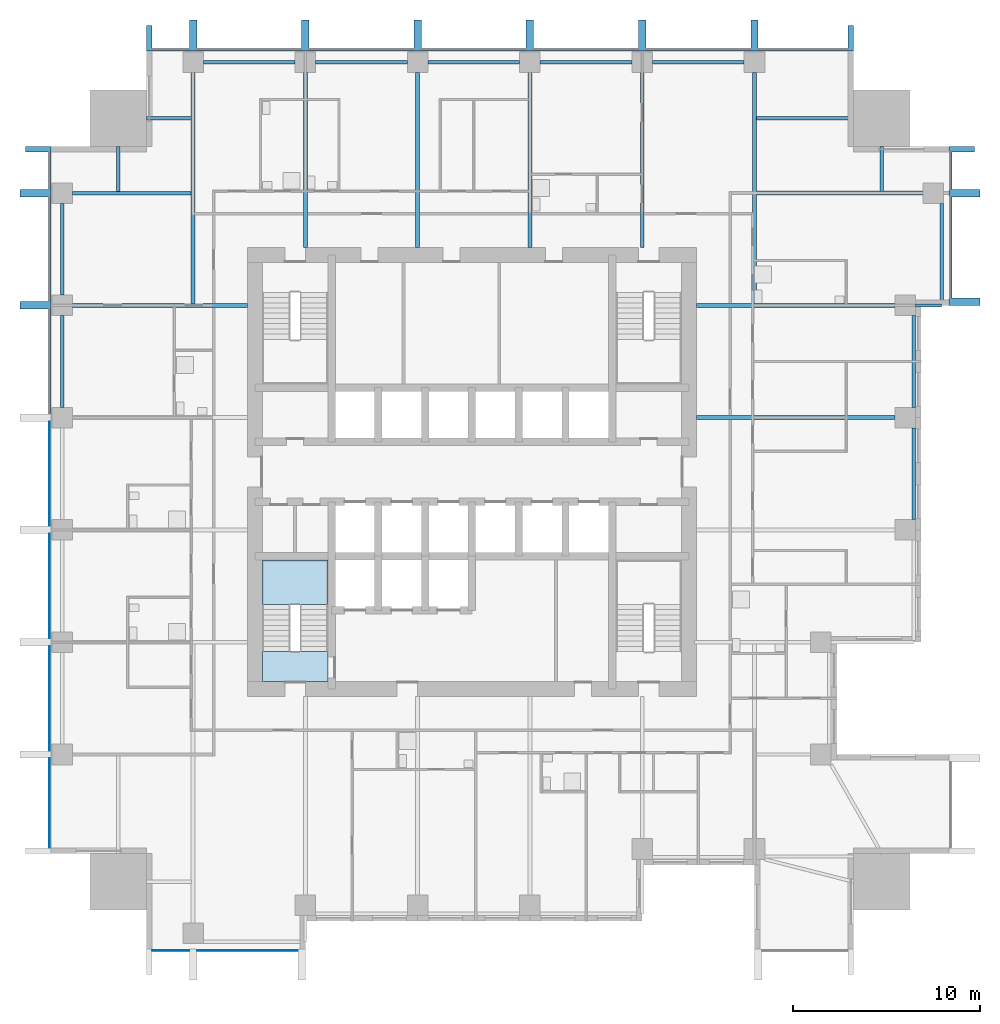
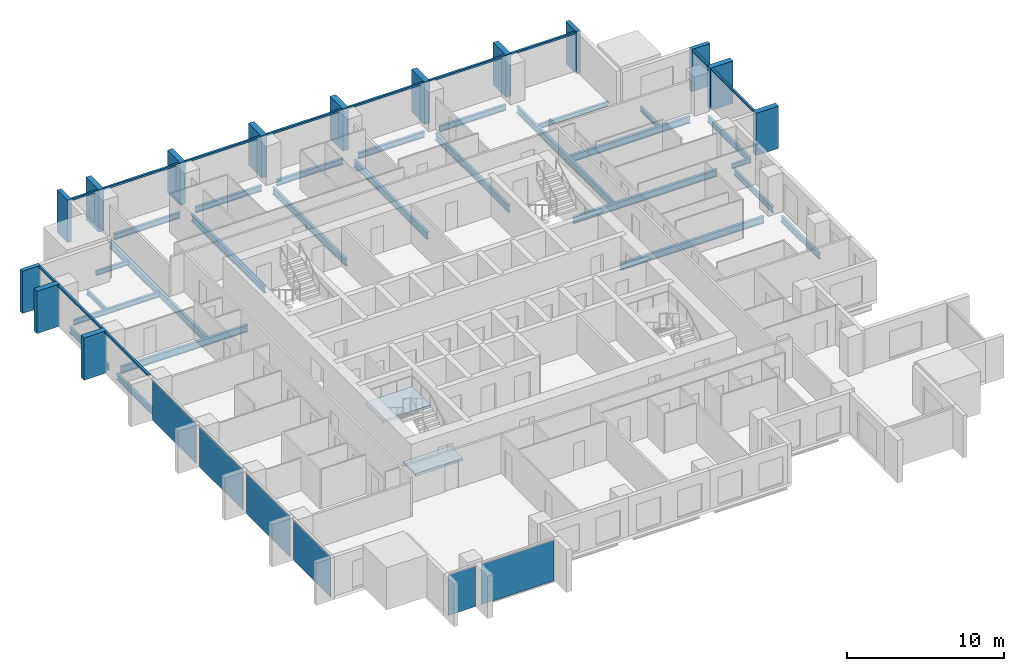
# One storey, part 2 of 10: 26 beams, 26 members, 6 plates, 2 slabs, 5 elements without a shape of their own.
"""IFC4 building model written with IfcOpenShell, lengths in metres."""

from ifc_helpers import new_model, si_unit, direction, frame, origin, origin_2d, place, context, subcontext, project, spatial, polyline, rectangle, i_section, outline, extrude, material, layer, layer_set, material_profile, profile_set, type_object, element, aggregate, save


model = new_model("IFC4")

# Units and contexts
model_context = context("Model", 3, precision=1e-05, world=origin(), true_north=direction((0.0, 1.0)))
body_context = subcontext(model_context, "Body", "Model", "MODEL_VIEW")
ifc_project = project(units=[si_unit("LENGTHUNIT", "METRE"), si_unit("AREAUNIT", "SQUARE_METRE"), si_unit("VOLUMEUNIT", "CUBIC_METRE"), si_unit("PLANEANGLEUNIT", "RADIAN"), si_unit("MASSUNIT", "GRAM", prefix="KILO")], contexts=[model_context])

# Site, building, storey
site_placement = place(None, origin())
site = spatial("IfcSite", under=ifc_project, at=site_placement, CompositionType="ELEMENT")
building_placement = place(site_placement, origin())
building = spatial("IfcBuilding", under=site, at=building_placement, Name="Amberfall Residences", CompositionType="ELEMENT")
storey_placement = place(building_placement, frame((0.0, 0.0, 82.0)))
storey = spatial("IfcBuildingStorey", under=building, at=storey_placement, Name="L21", CompositionType="ELEMENT", Elevation=82.0)

# Curtain wall, members
ifc_material_1 = material(Name="Bronze anodised aluminium and glass", Category="aluminium")
curtain_wall_type = type_object("IfcCurtainWallType", Name="Curtain wall CW1 tower unit", PredefinedType="USERDEFINED", material=ifc_material_1)
curtain_wall_1_placement = place(storey_placement, origin())
curtain_wall_1 = element("IfcCurtainWall", 1, at=curtain_wall_1_placement, inside=storey, type_object=curtain_wall_type, Name="Curtain wall L21 E E9", ObjectType="UNITISED CURTAIN WALL", PredefinedType="USERDEFINED")
ifc_material_2 = material(Name="Bronze anodised aluminium", Category="aluminium")
ifc_material_profile_1 = material_profile(ifc_material_2, rectangle(XDim=0.14990234375, YDim=0.14990234375, at=origin_2d()), Name="CW1 transom 150 x 150 bronze")
ifc_profile_set_1 = profile_set([ifc_material_profile_1], Name="Bronze anodised aluminium")
member_type_1 = type_object("IfcMemberType", Name="CW1 transom 150 x 150 bronze", PredefinedType="USERDEFINED", material=ifc_profile_set_1)
member_1_placement = place(storey_placement, frame((100.074951171875, 54.800048828125, 2.97509765625), z_axis=(0.0, 1.0, 0.0), x_axis=(-1.0, 0.0, 0.0)))
member_1 = element("IfcMember", 2, at=member_1_placement, type_object=member_type_1, Name="CW1 transom 1.1", ObjectType="TRANSOM", PredefinedType="USERDEFINED", context=body_context, shape_type="SweptSolid", body=[
    extrude(rectangle(XDim=0.14990234375, YDim=0.14990234375, at=origin_2d()), origin(), (0.0, 0.0, 1.0), 5.39990234375),
])
member_2_placement = place(storey_placement, frame((100.074951171875, 60.60009765625, 2.97509765625), z_axis=(0.0, 1.0, 0.0), x_axis=(-1.0, 0.0, 0.0)))
member_2 = element("IfcMember", 3, at=member_2_placement, type_object=member_type_1, Name="CW1 transom 2.1", ObjectType="TRANSOM", PredefinedType="USERDEFINED", context=body_context, shape_type="SweptSolid", body=[
    extrude(rectangle(XDim=0.14990234375, YDim=0.14990234375, at=origin_2d()), origin(), (0.0, 0.0, 1.0), 2.0),
])

curtain_wall_2_placement = place(storey_placement, origin())
curtain_wall_2 = element("IfcCurtainWall", 4, at=curtain_wall_2_placement, inside=storey, type_object=curtain_wall_type, Name="Curtain wall L21 N N1", ObjectType="UNITISED CURTAIN WALL", PredefinedType="USERDEFINED")
member_3_placement = place(storey_placement, frame((94.60009765625, 68.074951171875, 2.97509765625), z_axis=(-1.0, 0.0, 0.0), x_axis=(0.0, -1.0, 0.0)))
member_3 = element("IfcMember", 5, at=member_3_placement, type_object=member_type_1, Name="CW1 transom 1.1", ObjectType="TRANSOM", PredefinedType="USERDEFINED", context=body_context, shape_type="SweptSolid", body=[
    extrude(rectangle(XDim=0.14990234375, YDim=0.14990234375, at=origin_2d()), origin(), (0.0, 0.0, 1.0), 4.800048828125),
])
member_4_placement = place(storey_placement, frame((89.39990234375, 68.074951171875, 2.97509765625), z_axis=(-1.0, 0.0, 0.0), x_axis=(0.0, -1.0, 0.0)))
member_4 = element("IfcMember", 6, at=member_4_placement, type_object=member_type_1, Name="CW1 transom 2.1", ObjectType="TRANSOM", PredefinedType="USERDEFINED", context=body_context, shape_type="SweptSolid", body=[
    extrude(rectangle(XDim=0.14990234375, YDim=0.14990234375, at=origin_2d()), origin(), (0.0, 0.0, 1.0), 5.599853515625),
])
member_5_placement = place(storey_placement, frame((83.39990234375, 68.074951171875, 2.97509765625), z_axis=(-1.0, 0.0, 0.0), x_axis=(0.0, -1.0, 0.0)))
member_5 = element("IfcMember", 7, at=member_5_placement, type_object=member_type_1, Name="CW1 transom 3.1", ObjectType="TRANSOM", PredefinedType="USERDEFINED", context=body_context, shape_type="SweptSolid", body=[
    extrude(rectangle(XDim=0.14990234375, YDim=0.14990234375, at=origin_2d()), origin(), (0.0, 0.0, 1.0), 5.599853515625),
])
member_6_placement = place(storey_placement, frame((77.39990234375, 68.074951171875, 2.97509765625), z_axis=(-1.0, 0.0, 0.0), x_axis=(0.0, -1.0, 0.0)))
member_6 = element("IfcMember", 8, at=member_6_placement, type_object=member_type_1, Name="CW1 transom 4.1", ObjectType="TRANSOM", PredefinedType="USERDEFINED", context=body_context, shape_type="SweptSolid", body=[
    extrude(rectangle(XDim=0.14990234375, YDim=0.14990234375, at=origin_2d()), origin(), (0.0, 0.0, 1.0), 5.599853515625),
])
member_7_placement = place(storey_placement, frame((71.39990234375, 68.074951171875, 2.97509765625), z_axis=(-1.0, 0.0, 0.0), x_axis=(0.0, -1.0, 0.0)))
member_7 = element("IfcMember", 9, at=member_7_placement, type_object=member_type_1, Name="CW1 transom 5.1", ObjectType="TRANSOM", PredefinedType="USERDEFINED", context=body_context, shape_type="SweptSolid", body=[
    extrude(rectangle(XDim=0.14990234375, YDim=0.14990234375, at=origin_2d()), origin(), (0.0, 0.0, 1.0), 5.599853515625),
])
member_8_placement = place(storey_placement, frame((65.39990234375, 68.074951171875, 2.97509765625), z_axis=(-1.0, 0.0, 0.0), x_axis=(0.0, -1.0, 0.0)))
member_8 = element("IfcMember", 10, at=member_8_placement, type_object=member_type_1, Name="CW1 transom 6.1", ObjectType="TRANSOM", PredefinedType="USERDEFINED", context=body_context, shape_type="SweptSolid", body=[
    extrude(rectangle(XDim=0.14990234375, YDim=0.14990234375, at=origin_2d()), origin(), (0.0, 0.0, 1.0), 5.599853515625),
])
member_9_placement = place(storey_placement, frame((59.39990234375, 68.074951171875, 2.97509765625), z_axis=(-1.0, 0.0, 0.0), x_axis=(0.0, -1.0, 0.0)))
member_9 = element("IfcMember", 11, at=member_9_placement, type_object=member_type_1, Name="CW1 transom 7.1", ObjectType="TRANSOM", PredefinedType="USERDEFINED", context=body_context, shape_type="SweptSolid", body=[
    extrude(rectangle(XDim=0.14990234375, YDim=0.14990234375, at=origin_2d()), origin(), (0.0, 0.0, 1.0), 2.0),
])

curtain_wall_3_placement = place(storey_placement, origin())
curtain_wall_3 = element("IfcCurtainWall", 12, at=curtain_wall_3_placement, inside=storey, type_object=curtain_wall_type, Name="Curtain wall L21 W W1", ObjectType="UNITISED CURTAIN WALL", PredefinedType="USERDEFINED")
member_10_placement = place(storey_placement, frame((51.925048828125, 62.60009765625, 2.97509765625), z_axis=(0.0, -1.0, 0.0), x_axis=(1.0, 0.0, 0.0)))
member_10 = element("IfcMember", 13, at=member_10_placement, type_object=member_type_1, Name="CW1 transom 1.1", ObjectType="TRANSOM", PredefinedType="USERDEFINED", context=body_context, shape_type="SweptSolid", body=[
    extrude(rectangle(XDim=0.14990234375, YDim=0.14990234375, at=origin_2d()), origin(), (0.0, 0.0, 1.0), 2.0),
])
member_11_placement = place(storey_placement, frame((51.925048828125, 60.199951171875, 2.97509765625), z_axis=(0.0, -1.0, 0.0), x_axis=(1.0, 0.0, 0.0)))
member_11 = element("IfcMember", 14, at=member_11_placement, type_object=member_type_1, Name="CW1 transom 2.1", ObjectType="TRANSOM", PredefinedType="USERDEFINED", context=body_context, shape_type="SweptSolid", body=[
    extrude(rectangle(XDim=0.14990234375, YDim=0.14990234375, at=origin_2d()), origin(), (0.0, 0.0, 1.0), 5.599853515625),
])
member_12_placement = place(storey_placement, frame((51.925048828125, 54.199951171875, 2.97509765625), z_axis=(0.0, -1.0, 0.0), x_axis=(1.0, 0.0, 0.0)))
member_12 = element("IfcMember", 15, at=member_12_placement, type_object=member_type_1, Name="CW1 transom 3.1", ObjectType="TRANSOM", PredefinedType="USERDEFINED", context=body_context, shape_type="SweptSolid", body=[
    extrude(rectangle(XDim=0.14990234375, YDim=0.14990234375, at=origin_2d()), origin(), (0.0, 0.0, 1.0), 5.599853515625),
])

# Beam
ifc_material_3 = material(Name="Steel S355", Category="steel")
ifc_material_profile_2 = material_profile(ifc_material_3, i_section(OverallWidth=0.171142578125, OverallDepth=0.351318359375, WebThickness=0.007080078125, FlangeThickness=0.009765625, FilletRadius=0.01025390625, at=origin_2d()), Name="UB 356x171x45")
ifc_profile_set_2 = profile_set([ifc_material_profile_2], Name="Steel S355")
beam_type_1 = type_object("IfcBeamType", Name="Cantilever girder UB 356x171x45", PredefinedType="BEAM", material=ifc_profile_set_2)
beam_1_placement = place(storey_placement, frame((98.199951171875, 54.39990234375, -0.42578125), z_axis=(1.0, 0.0, 0.0), x_axis=(0.0, 1.0, 0.0)))
element("IfcBeam", 16, at=beam_1_placement, inside=storey, type_object=beam_type_1, Name="Cantilever girder B8 L21 20", PredefinedType="BEAM", context=body_context, shape_type="SweptSolid", body=[
    extrude(i_section(OverallWidth=0.171142578125, OverallDepth=0.351318359375, WebThickness=0.007080078125, FlangeThickness=0.009765625, FilletRadius=0.01025390625, at=origin_2d()), origin(), (0.0, 0.0, 1.0), 1.400146484375),
])

# Member
ifc_material_profile_3 = material_profile(ifc_material_2, rectangle(XDim=1.35009765625, YDim=0.300048828125, at=origin_2d()), Name="Corner fin 300 x 1350 bronze")
ifc_profile_set_3 = profile_set([ifc_material_profile_3], Name="Bronze anodised aluminium")
member_type_2 = type_object("IfcMemberType", Name="Corner fin 300 x 1350 bronze", PredefinedType="MULLION", material=ifc_profile_set_3)
member_13_placement = place(storey_placement, frame((100.675048828125, 62.75, -0.25), z_axis=(0.0, 0.0, 1.0), x_axis=(-1.0, 0.0, 0.0)))
member_13 = element("IfcMember", 17, at=member_13_placement, type_object=member_type_2, Name="CW FIN 3", PredefinedType="MULLION", context=body_context, shape_type="SweptSolid", body=[
    extrude(rectangle(XDim=1.35009765625, YDim=0.300048828125, at=origin_2d()), origin(), (0.0, 0.0, 1.0), 3.300048828125),
])

member_14_placement = place(storey_placement, frame((94.75, 68.675048828125, -0.25), z_axis=(0.0, 0.0, 1.0), x_axis=(0.0, -1.0, 0.0)))
member_14 = element("IfcMember", 18, at=member_14_placement, type_object=member_type_2, Name="CW FIN 1", PredefinedType="MULLION", context=body_context, shape_type="SweptSolid", body=[
    extrude(rectangle(XDim=1.35009765625, YDim=0.300048828125, at=origin_2d()), origin(), (0.0, 0.0, 1.0), 3.300048828125),
])

member_15_placement = place(storey_placement, frame((57.25, 68.675048828125, -0.25), z_axis=(0.0, 0.0, 1.0), x_axis=(0.0, -1.0, 0.0)))
member_15 = element("IfcMember", 19, at=member_15_placement, type_object=member_type_2, Name="CW FIN 8", PredefinedType="MULLION", context=body_context, shape_type="SweptSolid", body=[
    extrude(rectangle(XDim=1.35009765625, YDim=0.300048828125, at=origin_2d()), origin(), (0.0, 0.0, 1.0), 3.300048828125),
])

member_16_placement = place(storey_placement, frame((51.324951171875, 62.75, -0.25), z_axis=(0.0, 0.0, 1.0), x_axis=(1.0, 0.0, 0.0)))
member_16 = element("IfcMember", 20, at=member_16_placement, type_object=member_type_2, Name="CW FIN 1", PredefinedType="MULLION", context=body_context, shape_type="SweptSolid", body=[
    extrude(rectangle(XDim=1.35009765625, YDim=0.300048828125, at=origin_2d()), origin(), (0.0, 0.0, 1.0), 3.300048828125),
])

# Beams
ifc_material_profile_4 = material_profile(ifc_material_3, i_section(OverallWidth=0.18994140625, OverallDepth=0.453369140625, WebThickness=0.008544921875, FlangeThickness=0.0126953125, FilletRadius=0.01025390625, at=origin_2d()), Name="UB 457x191x67")
ifc_profile_set_4 = profile_set([ifc_material_profile_4], Name="Steel S355")
beam_type_2 = type_object("IfcBeamType", Name="Edge beam UB 457x191x67", PredefinedType="SPANDREL", material=ifc_profile_set_4)
for number, where, z_axis, x_axis, name in (
    (21, (98.10009765625, 42.949951171875, -0.476806640625), (0.0, 1.0, 0.0), (-1.0, 0.0, 0.0), "Edge beam B1 L21 16"),
    (22, (98.10009765625, 48.949951171875, -0.476806640625), (0.0, 1.0, 0.0), (-1.0, 0.0, 0.0), "Edge beam B1 L21 17"),
):
    element("IfcBeam", number, at=place(storey_placement, frame(where, z_axis=z_axis, x_axis=x_axis)), inside=storey, type_object=beam_type_2, Name=name, PredefinedType="SPANDREL", context=body_context, shape_type="SweptSolid", body=[
        extrude(i_section(OverallWidth=0.18994140625, OverallDepth=0.453369140625, WebThickness=0.008544921875, FlangeThickness=0.0126953125, FilletRadius=0.01025390625, at=origin_2d()), origin(), (0.0, 0.0, 1.0), 4.900146484375),
    ])
beam_2_placement = place(storey_placement, frame((99.60009765625, 54.47998046875, -0.476806640625), z_axis=(0.0, 1.0, 0.0), x_axis=(-1.0, 0.0, 0.0)))
element("IfcBeam", 23, at=beam_2_placement, inside=storey, type_object=beam_type_2, Name="Edge beam B1 L21 18", PredefinedType="SPANDREL", context=body_context, shape_type="SweptSolid", body=[
    extrude(i_section(OverallWidth=0.18994140625, OverallDepth=0.453369140625, WebThickness=0.008544921875, FlangeThickness=0.0126953125, FilletRadius=0.01025390625, at=origin_2d()), origin(), (0.0, 0.0, 1.0), 5.3701171875),
])
for number, where, z_axis, x_axis, name in (
    (24, (60.14990234375, 67.39990234375, -0.476806640625), (1.0, 0.0, 0.0), (0.0, 1.0, 0.0), "Edge beam B1 L21 27"),
    (25, (66.14990234375, 67.39990234375, -0.476806640625), (1.0, 0.0, 0.0), (0.0, 1.0, 0.0), "Edge beam B1 L21 28"),
    (26, (72.14990234375, 67.39990234375, -0.476806640625), (1.0, 0.0, 0.0), (0.0, 1.0, 0.0), "Edge beam B1 L21 29"),
    (27, (78.14990234375, 67.39990234375, -0.476806640625), (1.0, 0.0, 0.0), (0.0, 1.0, 0.0), "Edge beam B1 L21 30"),
    (28, (84.14990234375, 67.39990234375, -0.476806640625), (1.0, 0.0, 0.0), (0.0, 1.0, 0.0), "Edge beam B1 L21 31"),
    (29, (52.60009765625, 48.949951171875, -0.476806640625), (0.0, 1.0, 0.0), (-1.0, 0.0, 0.0), "Edge beam B1 L21 41"),
    (30, (52.60009765625, 54.949951171875, -0.476806640625), (0.0, 1.0, 0.0), (-1.0, 0.0, 0.0), "Edge beam B1 L21 42"),
):
    element("IfcBeam", number, at=place(storey_placement, frame(where, z_axis=z_axis, x_axis=x_axis)), inside=storey, type_object=beam_type_2, Name=name, PredefinedType="SPANDREL", context=body_context, shape_type="SweptSolid", body=[
        extrude(i_section(OverallWidth=0.18994140625, OverallDepth=0.453369140625, WebThickness=0.008544921875, FlangeThickness=0.0126953125, FilletRadius=0.01025390625, at=origin_2d()), origin(), (0.0, 0.0, 1.0), 4.900146484375),
    ])

# Member
ifc_material_profile_5 = material_profile(ifc_material_2, rectangle(XDim=1.64990234375, YDim=0.39990234375, at=origin_2d()), Name="Fin 400 x 1650 bronze")
ifc_profile_set_5 = profile_set([ifc_material_profile_5], Name="Bronze anodised aluminium")
member_type_3 = type_object("IfcMemberType", Name="Fin 400 x 1650 bronze", PredefinedType="MULLION", material=ifc_profile_set_5)
member_17_placement = place(storey_placement, frame((100.824951171875, 54.60009765625, -0.25), z_axis=(0.0, 0.0, 1.0), x_axis=(-1.0, 0.0, 0.0)))
member_17 = element("IfcMember", 31, at=member_17_placement, type_object=member_type_3, Name="CW FIN 1", PredefinedType="MULLION", context=body_context, shape_type="SweptSolid", body=[
    extrude(rectangle(XDim=1.64990234375, YDim=0.39990234375, at=origin_2d()), origin(), (0.0, 0.0, 1.0), 3.300048828125),
])

member_18_placement = place(storey_placement, frame((100.824951171875, 60.39990234375, -0.25), z_axis=(0.0, 0.0, 1.0), x_axis=(-1.0, 0.0, 0.0)))
member_18 = element("IfcMember", 32, at=member_18_placement, type_object=member_type_3, Name="CW FIN 2", PredefinedType="MULLION", context=body_context, shape_type="SweptSolid", body=[
    extrude(rectangle(XDim=1.64990234375, YDim=0.39990234375, at=origin_2d()), origin(), (0.0, 0.0, 1.0), 3.300048828125),
])

aggregate(curtain_wall_1, [member_17, member_18, member_13, member_1, member_2])

member_19_placement = place(storey_placement, frame((89.60009765625, 68.824951171875, -0.25), z_axis=(0.0, 0.0, 1.0), x_axis=(0.0, -1.0, 0.0)))
member_19 = element("IfcMember", 33, at=member_19_placement, type_object=member_type_3, Name="CW FIN 2", PredefinedType="MULLION", context=body_context, shape_type="SweptSolid", body=[
    extrude(rectangle(XDim=1.64990234375, YDim=0.39990234375, at=origin_2d()), origin(), (0.0, 0.0, 1.0), 3.300048828125),
])

member_20_placement = place(storey_placement, frame((83.60009765625, 68.824951171875, -0.25), z_axis=(0.0, 0.0, 1.0), x_axis=(0.0, -1.0, 0.0)))
member_20 = element("IfcMember", 34, at=member_20_placement, type_object=member_type_3, Name="CW FIN 3", PredefinedType="MULLION", context=body_context, shape_type="SweptSolid", body=[
    extrude(rectangle(XDim=1.64990234375, YDim=0.39990234375, at=origin_2d()), origin(), (0.0, 0.0, 1.0), 3.300048828125),
])

member_21_placement = place(storey_placement, frame((77.60009765625, 68.824951171875, -0.25), z_axis=(0.0, 0.0, 1.0), x_axis=(0.0, -1.0, 0.0)))
member_21 = element("IfcMember", 35, at=member_21_placement, type_object=member_type_3, Name="CW FIN 4", PredefinedType="MULLION", context=body_context, shape_type="SweptSolid", body=[
    extrude(rectangle(XDim=1.64990234375, YDim=0.39990234375, at=origin_2d()), origin(), (0.0, 0.0, 1.0), 3.300048828125),
])

member_22_placement = place(storey_placement, frame((71.60009765625, 68.824951171875, -0.25), z_axis=(0.0, 0.0, 1.0), x_axis=(0.0, -1.0, 0.0)))
member_22 = element("IfcMember", 36, at=member_22_placement, type_object=member_type_3, Name="CW FIN 5", PredefinedType="MULLION", context=body_context, shape_type="SweptSolid", body=[
    extrude(rectangle(XDim=1.64990234375, YDim=0.39990234375, at=origin_2d()), origin(), (0.0, 0.0, 1.0), 3.300048828125),
])

member_23_placement = place(storey_placement, frame((65.60009765625, 68.824951171875, -0.25), z_axis=(0.0, 0.0, 1.0), x_axis=(0.0, -1.0, 0.0)))
member_23 = element("IfcMember", 37, at=member_23_placement, type_object=member_type_3, Name="CW FIN 6", PredefinedType="MULLION", context=body_context, shape_type="SweptSolid", body=[
    extrude(rectangle(XDim=1.64990234375, YDim=0.39990234375, at=origin_2d()), origin(), (0.0, 0.0, 1.0), 3.300048828125),
])

member_24_placement = place(storey_placement, frame((59.60009765625, 68.824951171875, -0.25), z_axis=(0.0, 0.0, 1.0), x_axis=(0.0, -1.0, 0.0)))
member_24 = element("IfcMember", 38, at=member_24_placement, type_object=member_type_3, Name="CW FIN 7", PredefinedType="MULLION", context=body_context, shape_type="SweptSolid", body=[
    extrude(rectangle(XDim=1.64990234375, YDim=0.39990234375, at=origin_2d()), origin(), (0.0, 0.0, 1.0), 3.300048828125),
])

aggregate(curtain_wall_2, [member_14, member_19, member_20, member_21, member_22, member_23, member_24, member_15, member_3, member_4, member_5, member_6, member_7, member_8, member_9])

member_25_placement = place(storey_placement, frame((51.175048828125, 60.39990234375, -0.25), z_axis=(0.0, 0.0, 1.0), x_axis=(1.0, 0.0, 0.0)))
member_25 = element("IfcMember", 39, at=member_25_placement, type_object=member_type_3, Name="CW FIN 2", PredefinedType="MULLION", context=body_context, shape_type="SweptSolid", body=[
    extrude(rectangle(XDim=1.64990234375, YDim=0.39990234375, at=origin_2d()), origin(), (0.0, 0.0, 1.0), 3.300048828125),
])

member_26_placement = place(storey_placement, frame((51.175048828125, 54.39990234375, -0.25), z_axis=(0.0, 0.0, 1.0), x_axis=(1.0, 0.0, 0.0)))
member_26 = element("IfcMember", 40, at=member_26_placement, type_object=member_type_3, Name="CW FIN 3", PredefinedType="MULLION", context=body_context, shape_type="SweptSolid", body=[
    extrude(rectangle(XDim=1.64990234375, YDim=0.39990234375, at=origin_2d()), origin(), (0.0, 0.0, 1.0), 3.300048828125),
])

# Beams
ifc_material_profile_6 = material_profile(ifc_material_3, i_section(OverallWidth=0.177734375, OverallDepth=0.402587890625, WebThickness=0.0078125, FlangeThickness=0.010986328125, FilletRadius=0.01025390625, at=origin_2d()), Name="UB 406x178x54")
ifc_profile_set_6 = profile_set([ifc_material_profile_6], Name="Steel S355")
beam_type_3 = type_object("IfcBeamType", Name="Floor girder UB 406x178x54", PredefinedType="BEAM", material=ifc_profile_set_6)
beam_3_placement = place(storey_placement, frame((53.14990234375, 60.39990234375, -0.451416015625), z_axis=(1.0, 0.0, 0.0), x_axis=(0.0, 1.0, 0.0)))
element("IfcBeam", 41, at=beam_3_placement, inside=storey, type_object=beam_type_3, Name="Floor girder B4 L21 48", PredefinedType="BEAM", context=body_context, shape_type="SweptSolid", body=[
    extrude(i_section(OverallWidth=0.177734375, OverallDepth=0.402587890625, WebThickness=0.0078125, FlangeThickness=0.010986328125, FilletRadius=0.01025390625, at=origin_2d()), origin(), (0.0, 0.0, 1.0), 6.330078125),
])
ifc_material_profile_7 = material_profile(ifc_material_3, i_section(OverallWidth=0.210693359375, OverallDepth=0.53955078125, WebThickness=0.01171875, FlangeThickness=0.018798828125, FilletRadius=0.0126953125, at=origin_2d()), Name="UB 533x210x109")
ifc_profile_set_7 = profile_set([ifc_material_profile_7], Name="Steel S355")
beam_type_4 = type_object("IfcBeamType", Name="Floor girder UB 533x210x109", PredefinedType="BEAM", material=ifc_profile_set_7)
for number, where, z_axis, x_axis, name in (
    (42, (59.60009765625, 66.85009765625, -0.519775390625), (0.0, -1.0, 0.0), (1.0, 0.0, 0.0), "Floor girder B2 L21 32"),
    (43, (89.60009765625, 66.85009765625, -0.519775390625), (0.0, -1.0, 0.0), (1.0, 0.0, 0.0), "Floor girder B2 L21 37"),
):
    element("IfcBeam", number, at=place(storey_placement, frame(where, z_axis=z_axis, x_axis=x_axis)), inside=storey, type_object=beam_type_4, Name=name, PredefinedType="BEAM", context=body_context, shape_type="SweptSolid", body=[
        extrude(i_section(OverallWidth=0.210693359375, OverallDepth=0.53955078125, WebThickness=0.01171875, FlangeThickness=0.018798828125, FilletRadius=0.0126953125, at=origin_2d()), origin(), (0.0, 0.0, 1.0), 12.3505859375),
    ])
ifc_material_profile_8 = material_profile(ifc_material_3, i_section(OverallWidth=0.209228515625, OverallDepth=0.533203125, WebThickness=0.010009765625, FlangeThickness=0.015625, FilletRadius=0.0126953125, at=origin_2d()), Name="UB 533x210x92")
ifc_profile_set_8 = profile_set([ifc_material_profile_8], Name="Steel S355")
beam_type_5 = type_object("IfcBeamType", Name="Floor girder UB 533x210x92", PredefinedType="BEAM", material=ifc_profile_set_8)
for number, where, z_axis, x_axis, name in (
    (44, (97.10009765625, 48.39990234375, -0.5166015625), (-1.0, 0.0, 0.0), (0.0, -1.0, 0.0), "Floor girder B3 L21 24"),
    (45, (97.10009765625, 54.39990234375, -0.5166015625), (-1.0, 0.0, 0.0), (0.0, -1.0, 0.0), "Floor girder B3 L21 25"),
):
    element("IfcBeam", number, at=place(storey_placement, frame(where, z_axis=z_axis, x_axis=x_axis)), inside=storey, type_object=beam_type_5, Name=name, PredefinedType="BEAM", context=body_context, shape_type="SweptSolid", body=[
        extrude(i_section(OverallWidth=0.209228515625, OverallDepth=0.533203125, WebThickness=0.010009765625, FlangeThickness=0.015625, FilletRadius=0.0126953125, at=origin_2d()), origin(), (0.0, 0.0, 1.0), 10.60009765625),
    ])
beam_4_placement = place(storey_placement, frame((98.60009765625, 60.39990234375, -0.5166015625), z_axis=(-1.0, 0.0, 0.0), x_axis=(0.0, -1.0, 0.0)))
element("IfcBeam", 46, at=beam_4_placement, inside=storey, type_object=beam_type_5, Name="Floor girder B3 L21 26", PredefinedType="BEAM", context=body_context, shape_type="SweptSolid", body=[
    extrude(i_section(OverallWidth=0.209228515625, OverallDepth=0.533203125, WebThickness=0.010009765625, FlangeThickness=0.015625, FilletRadius=0.0126953125, at=origin_2d()), origin(), (0.0, 0.0, 1.0), 8.880126953125),
])
for number, where, z_axis, x_axis, name in (
    (47, (65.60009765625, 66.85009765625, -0.5166015625), (0.0, -1.0, 0.0), (1.0, 0.0, 0.0), "Floor girder B3 L21 33"),
    (48, (71.60009765625, 66.85009765625, -0.5166015625), (0.0, -1.0, 0.0), (1.0, 0.0, 0.0), "Floor girder B3 L21 34"),
    (49, (77.60009765625, 66.85009765625, -0.5166015625), (0.0, -1.0, 0.0), (1.0, 0.0, 0.0), "Floor girder B3 L21 35"),
    (50, (83.60009765625, 66.85009765625, -0.5166015625), (0.0, -1.0, 0.0), (1.0, 0.0, 0.0), "Floor girder B3 L21 36"),
    (51, (53.14990234375, 54.39990234375, -0.5166015625), (1.0, 0.0, 0.0), (0.0, 1.0, 0.0), "Floor girder B3 L21 47"),
):
    element("IfcBeam", number, at=place(storey_placement, frame(where, z_axis=z_axis, x_axis=x_axis)), inside=storey, type_object=beam_type_5, Name=name, PredefinedType="BEAM", context=body_context, shape_type="SweptSolid", body=[
        extrude(i_section(OverallWidth=0.209228515625, OverallDepth=0.533203125, WebThickness=0.010009765625, FlangeThickness=0.015625, FilletRadius=0.0126953125, at=origin_2d()), origin(), (0.0, 0.0, 1.0), 9.35009765625),
    ])
ifc_material_profile_9 = material_profile(ifc_material_3, i_section(OverallWidth=0.171142578125, OverallDepth=0.351318359375, WebThickness=0.007080078125, FlangeThickness=0.009765625, FilletRadius=0.01025390625, at=origin_2d()), Name="UB 356x171x45")
ifc_profile_set_9 = profile_set([ifc_material_profile_9], Name="Steel S355")
beam_type_6 = type_object("IfcBeamType", Name="Link beam UB 356x171x45", PredefinedType="BEAM", material=ifc_profile_set_9)
beam_5_placement = place(storey_placement, frame((94.89990234375, 64.39990234375, -0.42578125), z_axis=(-1.0, 0.0, 0.0), x_axis=(0.0, -1.0, 0.0)))
element("IfcBeam", 52, at=beam_5_placement, inside=storey, type_object=beam_type_6, Name="Link beam B7 L21 54", PredefinedType="BEAM", context=body_context, shape_type="SweptSolid", body=[
    extrude(i_section(OverallWidth=0.171142578125, OverallDepth=0.351318359375, WebThickness=0.007080078125, FlangeThickness=0.009765625, FilletRadius=0.01025390625, at=origin_2d()), origin(), (0.0, 0.0, 1.0), 5.20458984375),
])
beam_6_placement = place(storey_placement, frame((96.39990234375, 62.89990234375, -0.42578125), z_axis=(0.0, -1.0, 0.0), x_axis=(1.0, 0.0, 0.0)))
element("IfcBeam", 53, at=beam_6_placement, inside=storey, type_object=beam_type_6, Name="Link beam B7 L21 55", PredefinedType="BEAM", context=body_context, shape_type="SweptSolid", body=[
    extrude(i_section(OverallWidth=0.171142578125, OverallDepth=0.351318359375, WebThickness=0.007080078125, FlangeThickness=0.009765625, FilletRadius=0.01025390625, at=origin_2d()), origin(), (0.0, 0.0, 1.0), 2.4052734375),
])
beam_7_placement = place(storey_placement, frame((57.10009765625, 64.39990234375, -0.42578125), z_axis=(1.0, 0.0, 0.0), x_axis=(0.0, 1.0, 0.0)))
element("IfcBeam", 54, at=beam_7_placement, inside=storey, type_object=beam_type_6, Name="Link beam B7 L21 56", PredefinedType="BEAM", context=body_context, shape_type="SweptSolid", body=[
    extrude(i_section(OverallWidth=0.171142578125, OverallDepth=0.351318359375, WebThickness=0.007080078125, FlangeThickness=0.009765625, FilletRadius=0.01025390625, at=origin_2d()), origin(), (0.0, 0.0, 1.0), 2.404541015625),
])
beam_8_placement = place(storey_placement, frame((55.60009765625, 62.89990234375, -0.42578125), z_axis=(0.0, -1.0, 0.0), x_axis=(1.0, 0.0, 0.0)))
element("IfcBeam", 55, at=beam_8_placement, inside=storey, type_object=beam_type_6, Name="Link beam B7 L21 57", PredefinedType="BEAM", context=body_context, shape_type="SweptSolid", body=[
    extrude(i_section(OverallWidth=0.171142578125, OverallDepth=0.351318359375, WebThickness=0.007080078125, FlangeThickness=0.009765625, FilletRadius=0.01025390625, at=origin_2d()), origin(), (0.0, 0.0, 1.0), 2.4208984375),
])

# Curtain wall, plates
curtain_wall_4_placement = place(storey_placement, origin())
curtain_wall_4 = element("IfcCurtainWall", 56, at=curtain_wall_4_placement, inside=storey, type_object=curtain_wall_type, Name="Curtain wall L21 S S1", ObjectType="UNITISED CURTAIN WALL", PredefinedType="USERDEFINED")
ifc_material_4 = material(Name="Tinted double glazed unit", Category="glass")
ifc_layer_1 = layer(ifc_material_4, 0.035888671875)
ifc_layer_set_1 = layer_set([ifc_layer_1], Name="CW1 panel 36 glazing")
plate_type = type_object("IfcPlateType", Name="CW1 panel 36 glazing", PredefinedType="CURTAIN_PANEL", material=ifc_layer_set_1)
plate_1_placement = place(storey_placement, frame((58.39990234375, 19.925048828125, -0.25), z_axis=(0.0, 0.0, 1.0), x_axis=(1.0, 0.0, 0.0)))
plate_1 = element("IfcPlate", 57, at=plate_1_placement, type_object=plate_type, Name="CW1 panel 1.1", PredefinedType="CURTAIN_PANEL", context=body_context, shape_type="SweptSolid", body=[
    extrude(rectangle(XDim=1.97607421875, YDim=0.035888671875, at=origin_2d()), origin(), (0.0, 0.0, 1.0), 3.14990234375),
])
plate_2_placement = place(storey_placement, frame((62.5, 19.925048828125, -0.25), z_axis=(0.0, 0.0, 1.0), x_axis=(1.0, 0.0, 0.0)))
plate_2 = element("IfcPlate", 58, at=plate_2_placement, type_object=plate_type, Name="CW1 panel 2.1", PredefinedType="CURTAIN_PANEL", context=body_context, shape_type="SweptSolid", body=[
    extrude(rectangle(XDim=5.3759765625, YDim=0.035888671875, at=origin_2d()), origin(), (0.0, 0.0, 1.0), 3.14990234375),
])
aggregate(curtain_wall_4, [plate_1, plate_2])

# Plate
plate_3_placement = place(storey_placement, frame((51.925048828125, 45.39990234375, -0.25), z_axis=(0.0, 0.0, 1.0), x_axis=(0.0, -1.0, 0.0)))
plate_3 = element("IfcPlate", 59, at=plate_3_placement, type_object=plate_type, Name="CW1 panel 4.1", PredefinedType="CURTAIN_PANEL", context=body_context, shape_type="SweptSolid", body=[
    extrude(rectangle(XDim=5.575927734375, YDim=0.035888671875, at=origin_2d()), origin(), (0.0, 0.0, 1.0), 3.14990234375),
])

plate_4_placement = place(storey_placement, frame((51.925048828125, 39.39990234375, -0.25), z_axis=(0.0, 0.0, 1.0), x_axis=(0.0, -1.0, 0.0)))
plate_4 = element("IfcPlate", 60, at=plate_4_placement, type_object=plate_type, Name="CW1 panel 5.1", PredefinedType="CURTAIN_PANEL", context=body_context, shape_type="SweptSolid", body=[
    extrude(rectangle(XDim=5.575927734375, YDim=0.035888671875, at=origin_2d()), origin(), (0.0, 0.0, 1.0), 3.14990234375),
])

plate_5_placement = place(storey_placement, frame((51.925048828125, 33.39990234375, -0.25), z_axis=(0.0, 0.0, 1.0), x_axis=(0.0, -1.0, 0.0)))
plate_5 = element("IfcPlate", 61, at=plate_5_placement, type_object=plate_type, Name="CW1 panel 6.1", PredefinedType="CURTAIN_PANEL", context=body_context, shape_type="SweptSolid", body=[
    extrude(rectangle(XDim=5.575927734375, YDim=0.035888671875, at=origin_2d()), origin(), (0.0, 0.0, 1.0), 3.14990234375),
])

plate_6_placement = place(storey_placement, frame((51.925048828125, 27.800048828125, -0.25), z_axis=(0.0, 0.0, 1.0), x_axis=(0.0, -1.0, 0.0)))
plate_6 = element("IfcPlate", 62, at=plate_6_placement, type_object=plate_type, Name="CW1 panel 7.1", PredefinedType="CURTAIN_PANEL", context=body_context, shape_type="SweptSolid", body=[
    extrude(rectangle(XDim=4.77587890625, YDim=0.035888671875, at=origin_2d()), origin(), (0.0, 0.0, 1.0), 3.14990234375),
])

aggregate(curtain_wall_3, [member_16, member_25, member_26, member_10, member_11, member_12, plate_3, plate_4, plate_5, plate_6])

# Stair, slabs
ifc_material_5 = material(Name="Concrete C40", Category="concrete")
stair_type = type_object("IfcStairType", Name="Exit stair 20 risers 165.0 mm", PredefinedType="HALF_TURN_STAIR", material=ifc_material_5)
stair_placement = place(storey_placement, origin())
stair = element("IfcStair", 63, at=stair_placement, inside=storey, type_object=stair_type, Name="L21 Exit stair 1", PredefinedType="HALF_TURN_STAIR")
ifc_layer_2 = layer(ifc_material_5, 0.199951171875)
ifc_layer_set_2 = layer_set([ifc_layer_2], Name="Stair landing 200")
slab_type = type_object("IfcSlabType", Name="Stair landing 200", PredefinedType="LANDING", material=ifc_layer_set_2)
slab_1_placement = place(storey_placement, frame((0.0, 0.0, 1.449951171875)))
slab_1 = element("IfcSlab", 64, at=slab_1_placement, type_object=slab_type, Name="ST3 landing 1", PredefinedType="LANDING", context=body_context, shape_type="SweptSolid", body=[
    extrude(outline(polyline([(66.800048828125, 38.419921875), (66.800048828125, 40.800048828125), (63.300048828125, 40.800048828125), (63.300048828125, 38.419921875), (66.800048828125, 38.419921875)])), origin(), (0.0, 0.0, 1.0), 0.199951171875),
])
slab_2_placement = place(storey_placement, frame((0.0, 0.0, -0.199951171875)))
slab_2 = element("IfcSlab", 65, at=slab_2_placement, type_object=slab_type, Name="ST3 landing 2", PredefinedType="LANDING", context=body_context, shape_type="SweptSolid", body=[
    extrude(outline(polyline([(66.800048828125, 34.300048828125), (66.800048828125, 35.89990234375), (63.300048828125, 35.89990234375), (63.300048828125, 34.300048828125), (66.800048828125, 34.300048828125)])), origin(), (0.0, 0.0, 1.0), 0.199951171875),
])
aggregate(stair, [slab_1, slab_2])

save(model, "model.ifc")
